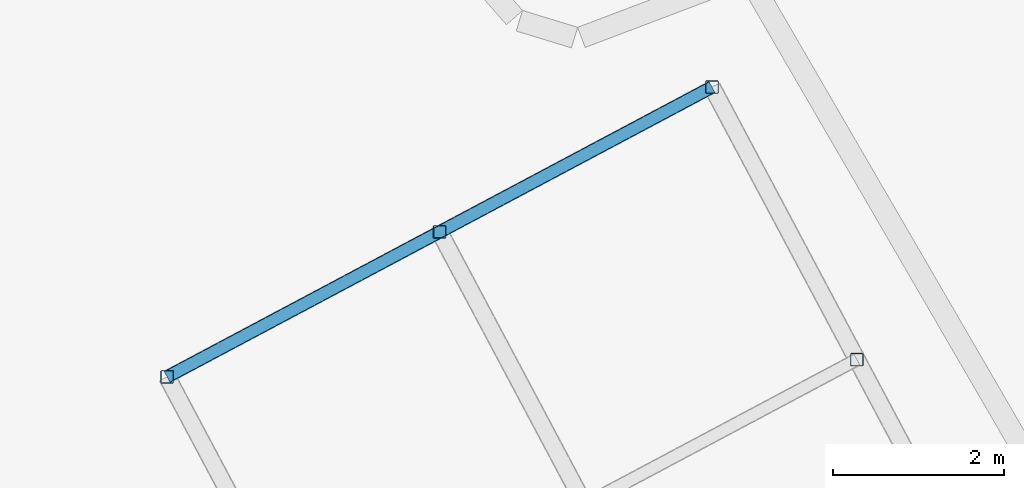
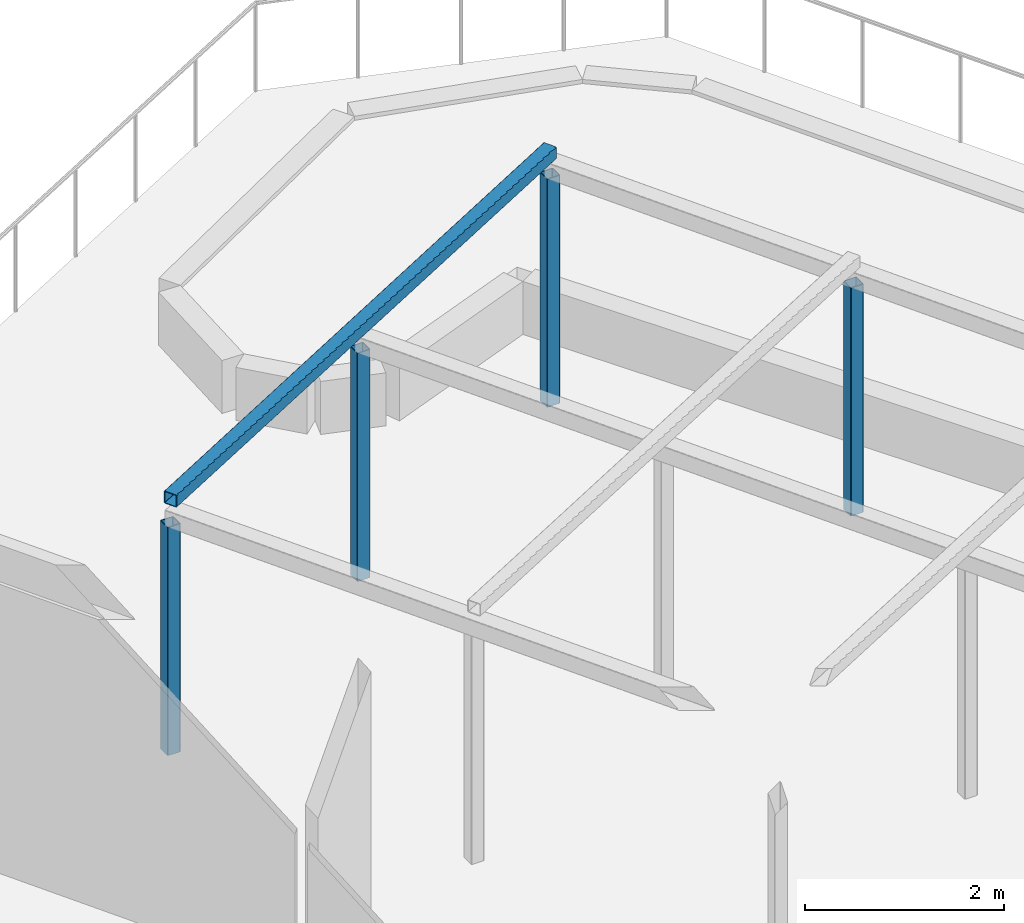
# One storey, part 13 of 34: 5 members.
"""IFC4 building model written with IfcOpenShell, lengths in metres."""

from ifc_helpers import new_model, si_unit, direction, frame, origin, origin_2d, place, context, subcontext, project, spatial, hollow_rectangle, extrude, material, material_profile, profile_set, type_object, element, save


model = new_model("IFC4")

# Units and contexts
model_context = context("Model", 3, precision=1e-05, world=origin(), true_north=direction((0.0, 1.0)))
body_context = subcontext(model_context, "Body", "Model", "MODEL_VIEW")
ifc_project = project(units=[si_unit("LENGTHUNIT", "METRE"), si_unit("AREAUNIT", "SQUARE_METRE"), si_unit("VOLUMEUNIT", "CUBIC_METRE"), si_unit("PLANEANGLEUNIT", "RADIAN"), si_unit("MASSUNIT", "GRAM", prefix="KILO")], contexts=[model_context])

# Site, building, storey
site_placement = place(None, origin())
site = spatial("IfcSite", under=ifc_project, at=site_placement, CompositionType="ELEMENT")
building_placement = place(site_placement, origin())
building = spatial("IfcBuilding", under=site, at=building_placement, Name="Cormorant Relay Tower", CompositionType="ELEMENT")
storey_placement = place(building_placement, frame((0.0, 0.0, 118.199951171875)))
storey = spatial("IfcBuildingStorey", under=building, at=storey_placement, Name="L23", CompositionType="ELEMENT", Elevation=118.199951171875)

# Members
ifc_material_1 = material(Name="Steel ASTM A500 Grade C (Fy 345 MPa)", Category="steel")
ifc_material_profile_1 = material_profile(ifc_material_1, hollow_rectangle(XDim=0.15234375, YDim=0.15234375, WallThickness=0.0087890625, InnerFilletRadius=0.00439453125, OuterFilletRadius=0.01318359375, at=origin_2d()), Name="HSS152x152x9")
ifc_profile_set_1 = profile_set([ifc_material_profile_1], Name="Steel ASTM A500 Grade C (Fy 345 MPa)")
member_type_1 = type_object("IfcMemberType", Name="Pergola post HSS152x152x9", PredefinedType="POST", material=ifc_profile_set_1)
for number, where, z_axis, x_axis, name in (
    (1, (44.5458984375, 41.353515625, 0.0), (0.0, 0.0, 1.0), (1.0, 0.0, 0.0), "Pergola post"),
    (2, (47.724609375, 43.043701171875, 0.0), (0.0, 0.0, 1.0), (1.0, 0.0, 0.0), "Pergola post"),
    (3, (52.59326171875, 41.55517578125, 0.0), (0.0, 0.0, 1.0), (1.0, 0.0, 0.0), "Pergola post"),
    (4, (50.903076171875, 44.73388671875, 0.0), (0.0, 0.0, 1.0), (1.0, 0.0, 0.0), "Pergola post"),
):
    element("IfcMember", number, at=place(storey_placement, frame(where, z_axis=z_axis, x_axis=x_axis)), inside=storey, type_object=member_type_1, Name=name, PredefinedType="POST", context=body_context, shape_type="SweptSolid", body=[
        extrude(hollow_rectangle(XDim=0.15234375, YDim=0.15234375, WallThickness=0.0087890625, InnerFilletRadius=0.00439453125, OuterFilletRadius=0.01318359375, at=origin_2d()), origin(), (0.0, 0.0, 1.0), 2.800048828125),
    ])
ifc_material_2 = material(Name="Steel ASTM A500 Grade C (Fy 345 MPa)", Category="steel")
ifc_material_profile_2 = material_profile(ifc_material_2, hollow_rectangle(XDim=0.15234375, YDim=0.15234375, WallThickness=0.0087890625, InnerFilletRadius=0.00439453125, OuterFilletRadius=0.01318359375, at=origin_2d()), Name="HSS152x152x9")
ifc_profile_set_2 = profile_set([ifc_material_profile_2], Name="Steel ASTM A500 Grade C (Fy 345 MPa)")
member_type_2 = type_object("IfcMemberType", Name="Pergola rafter HSS152x152x9", PredefinedType="RAFTER", material=ifc_profile_set_2)
member_placement = place(storey_placement, frame((44.5458984375, 41.353515625, 3.079345703125), z_axis=(0.882936093587, 0.469493189132, 0.0), x_axis=(-0.469493189132, 0.882936093587, 0.0)))
element("IfcMember", 5, at=member_placement, inside=storey, type_object=member_type_2, Name="Pergola rafter", PredefinedType="RAFTER", context=body_context, shape_type="SweptSolid", body=[
    extrude(hollow_rectangle(XDim=0.15234375, YDim=0.15234375, WallThickness=0.0087890625, InnerFilletRadius=0.00439453125, OuterFilletRadius=0.01318359375, at=origin_2d()), origin(), (0.0, 0.0, 1.0), 7.199951171875),
])

save(model, "model.ifc")
